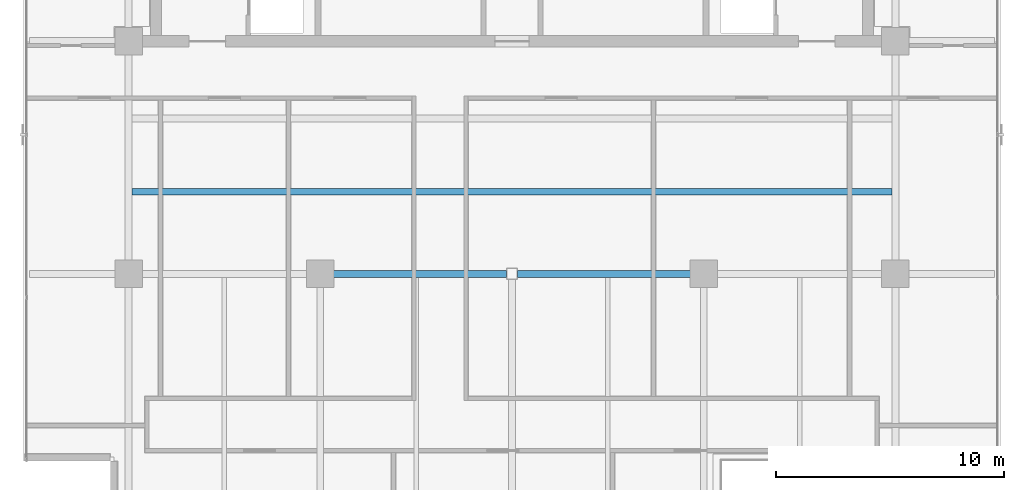
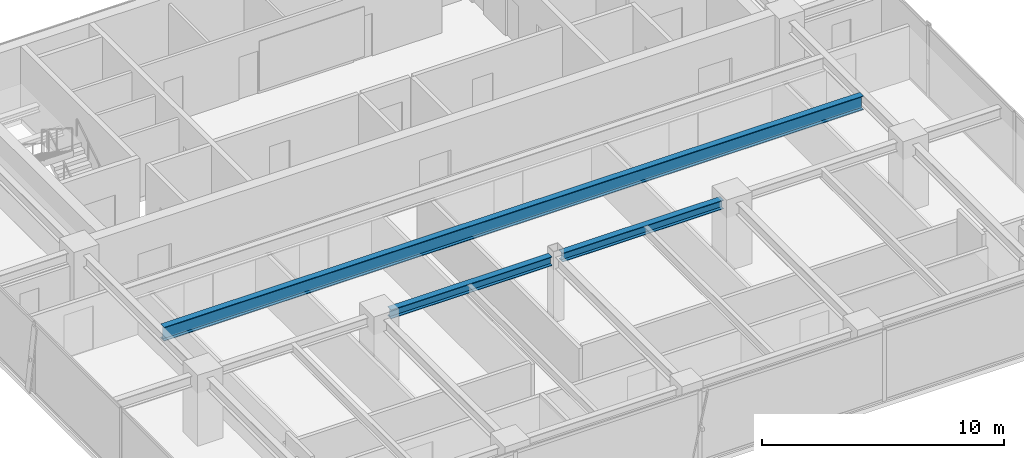
# One storey, part 5 of 21: 3 beams.
"""IFC4 building model written with IfcOpenShell, lengths in metres."""

from ifc_helpers import new_model, si_unit, direction, frame, origin, origin_2d, place, context, subcontext, project, spatial, i_section, extrude, source, transform, mapped, material, material_profile, profile_set, type_object, element, save


model = new_model("IFC4")

# Units and contexts
model_context = context("Model", 3, precision=1e-05, world=origin(), true_north=direction((0.0, 1.0)))
body_context = subcontext(model_context, "Body", "Model", "MODEL_VIEW")
ifc_project = project(units=[si_unit("LENGTHUNIT", "METRE"), si_unit("AREAUNIT", "SQUARE_METRE"), si_unit("VOLUMEUNIT", "CUBIC_METRE"), si_unit("PLANEANGLEUNIT", "RADIAN"), si_unit("MASSUNIT", "GRAM", prefix="KILO")], contexts=[model_context])

# Site, building, storey
site_placement = place(None, origin())
site = spatial("IfcSite", under=ifc_project, at=site_placement, CompositionType="ELEMENT")
building_placement = place(site_placement, origin())
building = spatial("IfcBuilding", under=site, at=building_placement, Name="Sumidabori Civic Tower", CompositionType="ELEMENT")
storey_placement = place(building_placement, frame((0.0, 0.0, 290.0)))
storey = spatial("IfcBuildingStorey", under=building, at=storey_placement, Name="L76", CompositionType="ELEMENT", Elevation=290.0)

# Beams
ifc_material = material(Name="Steel SN490", Category="steel")
ifc_material_profile_1 = material_profile(ifc_material, i_section(OverallWidth=0.300048828125, OverallDepth=0.699951171875, WebThickness=0.01708984375, FlangeThickness=0.031982421875, at=origin_2d()), Name="HE 700 B")
ifc_profile_set_1 = profile_set([ifc_material_profile_1], Name="Steel SN490")
beam_type_1 = type_object("IfcBeamType", Name="BM-GIRD-700", PredefinedType="BEAM", material=ifc_profile_set_1)
shared_shape_1 = source(origin(), body_context, "Body", "SweptSolid", [
    extrude(i_section(OverallWidth=0.300048828125, OverallDepth=0.699951171875, WebThickness=0.01708984375, FlangeThickness=0.031982421875, at=origin_2d()), origin(), (0.0, 0.0, 1.0), 33.2998046875),
])
beam_placement = place(storey_placement, frame((-16.64990234375, 3.60009765625, 2.949951171875), z_axis=(1.0, 0.0, 0.0), x_axis=(0.0, 1.0, 0.0)))
element("IfcBeam", 1, at=beam_placement, inside=storey, type_object=beam_type_1, Name="North Bay Floor Beam L76 JSTN-22", PredefinedType="BEAM", context=body_context, shape_type="MappedRepresentation", body=[
    mapped(shared_shape_1, transform((0.0, 0.0, 0.0), x_axis=(1.0, 0.0, 0.0), y_axis=(0.0, 1.0, 0.0), z_axis=(0.0, 0.0, 1.0), scale=1.0)),
])
ifc_material_profile_2 = material_profile(ifc_material, i_section(OverallWidth=0.300048828125, OverallDepth=0.449951171875, WebThickness=0.013916015625, FlangeThickness=0.02587890625, at=origin_2d()), Name="HE 450 B")
ifc_profile_set_2 = profile_set([ifc_material_profile_2], Name="Steel SN490")
beam_type_2 = type_object("IfcBeamType", Name="BM-GIRD-450", PredefinedType="BEAM", material=ifc_profile_set_2)
shared_shape_2 = source(origin(), body_context, "Body", "SweptSolid", [
    extrude(i_section(OverallWidth=0.300048828125, OverallDepth=0.449951171875, WebThickness=0.013916015625, FlangeThickness=0.02587890625, at=origin_2d()), origin(), (0.0, 0.0, 1.0), 7.669921875),
])
for number, where, z_axis, x_axis, name in (
    (2, (-7.919921875, 0.0, 3.074951171875), (1.0, 0.0, 0.0), (0.0, 1.0, 0.0), "Primary Girder L76 GX-06"),
    (3, (0.25, 0.0, 3.074951171875), (1.0, 0.0, 0.0), (0.0, 1.0, 0.0), "Primary Girder L76 GX-07"),
):
    element("IfcBeam", number, at=place(storey_placement, frame(where, z_axis=z_axis, x_axis=x_axis)), inside=storey, type_object=beam_type_2, Name=name, PredefinedType="BEAM", context=body_context, shape_type="MappedRepresentation", body=[
        mapped(shared_shape_2, transform((0.0, 0.0, 0.0), x_axis=(1.0, 0.0, 0.0), y_axis=(0.0, 1.0, 0.0), z_axis=(0.0, 0.0, 1.0), scale=1.0)),
    ])

save(model, "model.ifc")
